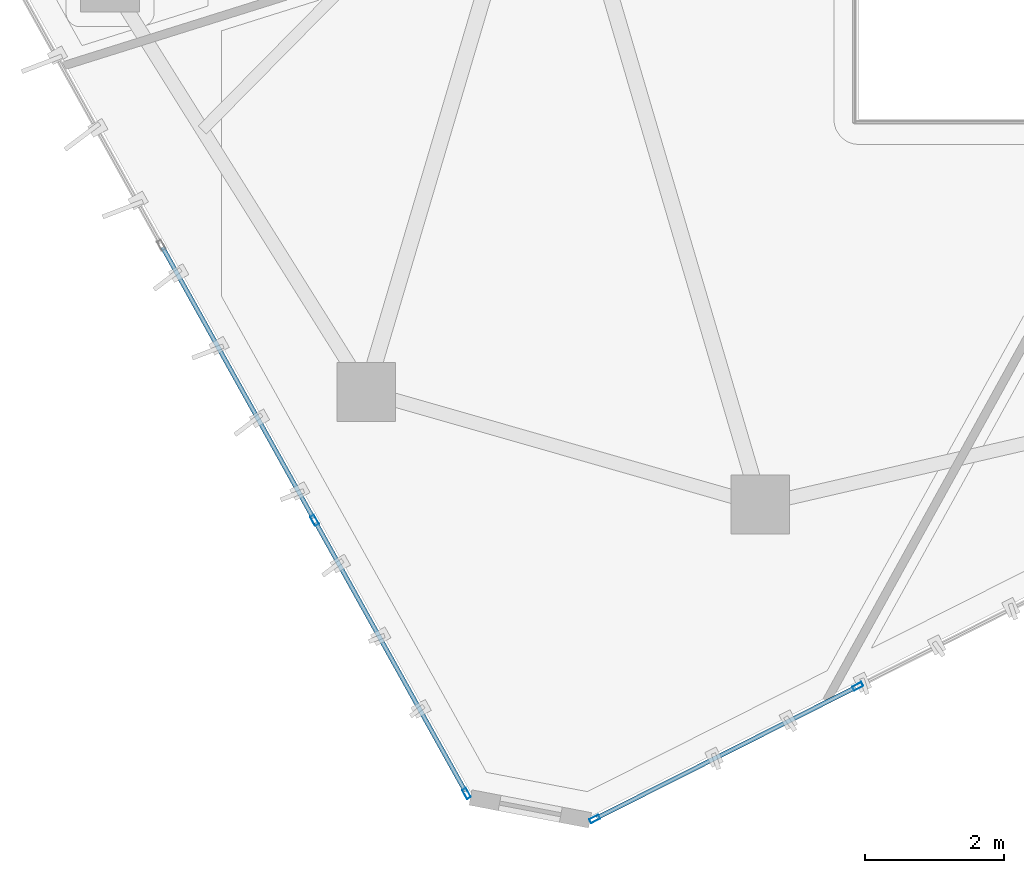
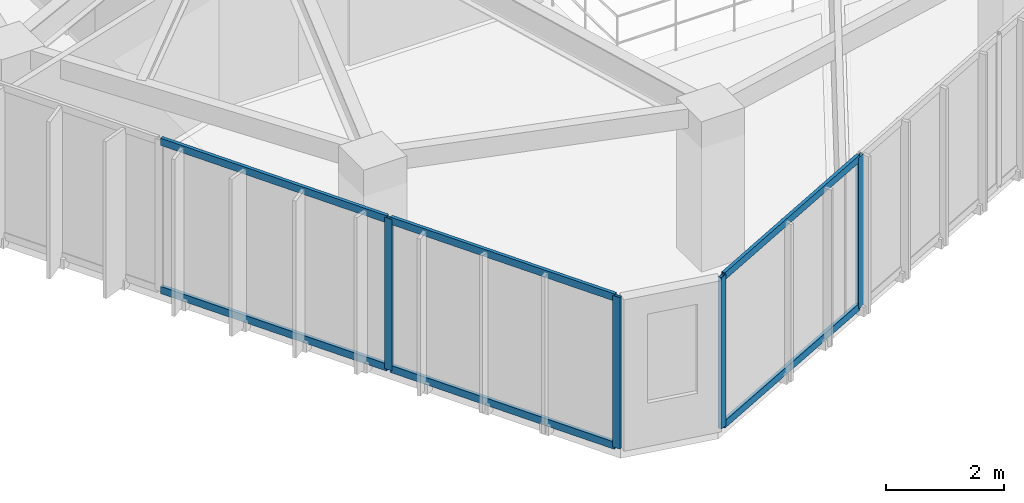
# One storey, part 2 of 21: 10 members, 2 elements without a shape of their own.
"""IFC4 building model written with IfcOpenShell, lengths in metres."""

from ifc_helpers import new_model, si_unit, direction, frame, origin, origin_2d, place, context, subcontext, project, spatial, hollow_rectangle, extrude, source, transform, mapped, material, layer, layer_set, material_profile, profile_set, type_object, type_shapes, element, aggregate, save


model = new_model("IFC4")

# Units and contexts
model_context = context("Model", 3, precision=1e-05, world=origin(), true_north=direction((0.0, 1.0)))
body_context = subcontext(model_context, "Body", "Model", "MODEL_VIEW")
ifc_project = project(units=[si_unit("LENGTHUNIT", "METRE"), si_unit("AREAUNIT", "SQUARE_METRE"), si_unit("VOLUMEUNIT", "CUBIC_METRE"), si_unit("PLANEANGLEUNIT", "RADIAN"), si_unit("MASSUNIT", "GRAM", prefix="KILO")], contexts=[model_context])

# Site, building, storey
site_placement = place(None, origin())
site = spatial("IfcSite", under=ifc_project, at=site_placement, CompositionType="ELEMENT")
building_placement = place(site_placement, origin())
building = spatial("IfcBuilding", under=site, at=building_placement, Name="Talar Marvaseh", CompositionType="ELEMENT")
storey_placement = place(building_placement, frame((0.0, 0.0, 264.60009765625)))
storey = spatial("IfcBuildingStorey", under=building, at=storey_placement, Name="L70", CompositionType="ELEMENT", Elevation=264.60009765625)

# Curtain wall, members
ifc_material = material(Name="Architectural Aluminium", Category="aluminium")
ifc_layer = layer(ifc_material, 0.179931640625)
ifc_layer_set = layer_set([ifc_layer], Name="Architectural Aluminium")
curtain_wall_type = type_object("IfcCurtainWallType", Name="Unitised High-Wind Sky Curtain Wall Z4", PredefinedType="NOTDEFINED", material=ifc_layer_set)
curtain_wall_1_placement = place(storey_placement, origin())
curtain_wall_1 = element("IfcCurtainWall", 1, at=curtain_wall_1_placement, inside=storey, type_object=curtain_wall_type, Name="L70 Unitised High-Wind Sky Curtain Wall Z4", PredefinedType="NOTDEFINED")
ifc_material_profile_1 = material_profile(ifc_material, hollow_rectangle(XDim=0.06494140625, YDim=0.14990234375, WallThickness=0.00390625, at=origin_2d()), Name="RHS150x65x4")
ifc_profile_set_1 = profile_set([ifc_material_profile_1], Name="Architectural Aluminium")
member_type_1 = type_object("IfcMemberType", Name="Unitised Curtain Wall Slim Mullion RHS150x65x4", PredefinedType="MULLION", material=ifc_profile_set_1)
shared_shape_1 = source(origin(), body_context, "Body", "SweptSolid", [
    extrude(hollow_rectangle(XDim=0.06494140625, YDim=0.14990234375, WallThickness=0.00390625, at=origin_2d()), origin(), (0.0, 0.0, 1.0), 3.139892578125),
])
type_shapes(member_type_1, [shared_shape_1])
member_1_placement = place(storey_placement, frame((17.53466796875, 10.8701171875, 0.0), z_axis=(0.0, 0.0, 1.0), x_axis=(-0.873803480843, -0.486279216981, 0.0)))
member_1 = element("IfcMember", 2, at=member_1_placement, type_object=member_type_1, Name="CW-Z4 mullion 1", PredefinedType="MULLION", context=body_context, shape_type="MappedRepresentation", body=[
    mapped(shared_shape_1, transform((0.0, 0.0, 0.0), x_axis=(1.0, 0.0, 0.0), y_axis=(0.0, 1.0, 0.0), z_axis=(0.0, 0.0, 1.0), scale=1.0)),
])
member_2_placement = place(storey_placement, frame((15.34033203125, 14.81298828125, 0.0), z_axis=(0.0, 0.0, 1.0), x_axis=(-0.873803480843, -0.486279216981, 0.0)))
member_2 = element("IfcMember", 3, at=member_2_placement, type_object=member_type_1, Name="CW-Z4 mullion 2", PredefinedType="MULLION", context=body_context, shape_type="MappedRepresentation", body=[
    mapped(shared_shape_1, transform((0.0, 0.0, 0.0), x_axis=(1.0, 0.0, 0.0), y_axis=(0.0, 1.0, 0.0), z_axis=(0.0, 0.0, 1.0), scale=1.0)),
])

curtain_wall_2_placement = place(storey_placement, origin())
curtain_wall_2 = element("IfcCurtainWall", 4, at=curtain_wall_2_placement, inside=storey, type_object=curtain_wall_type, Name="L70 Unitised High-Wind Sky Curtain Wall Z4", PredefinedType="NOTDEFINED")
member_3_placement = place(storey_placement, frame((23.183837890625, 12.4169921875, 0.0), z_axis=(0.0, 0.0, 1.0), x_axis=(0.450236996494, -0.89290909223, 0.0)))
member_3 = element("IfcMember", 5, at=member_3_placement, type_object=member_type_1, Name="CW-Z4 mullion 4", PredefinedType="MULLION", context=body_context, shape_type="MappedRepresentation", body=[
    mapped(shared_shape_1, transform((0.0, 0.0, 0.0), x_axis=(1.0, 0.0, 0.0), y_axis=(0.0, 1.0, 0.0), z_axis=(0.0, 0.0, 1.0), scale=1.0)),
])
member_4_placement = place(storey_placement, frame((19.385498046875, 10.501953125, 0.0), z_axis=(0.0, 0.0, 1.0), x_axis=(0.450236996494, -0.89290909223, 0.0)))
member_4 = element("IfcMember", 6, at=member_4_placement, type_object=member_type_1, Name="CW-Z4 mullion 5", PredefinedType="MULLION", context=body_context, shape_type="MappedRepresentation", body=[
    mapped(shared_shape_1, transform((0.0, 0.0, 0.0), x_axis=(1.0, 0.0, 0.0), y_axis=(0.0, 1.0, 0.0), z_axis=(0.0, 0.0, 1.0), scale=1.0)),
])

# Member
ifc_material_profile_2 = material_profile(ifc_material, hollow_rectangle(XDim=0.06494140625, YDim=0.14990234375, WallThickness=0.00390625, at=origin_2d()), Name="RHS150x65x4")
ifc_profile_set_2 = profile_set([ifc_material_profile_2], Name="Architectural Aluminium")
member_type_2 = type_object("IfcMemberType", Name="Unitised Curtain Wall Slim Transom RHS150x65x4", PredefinedType="USERDEFINED", material=ifc_profile_set_2)
shared_shape_2 = source(origin(), body_context, "Body", "SweptSolid", [
    extrude(hollow_rectangle(XDim=0.06494140625, YDim=0.14990234375, WallThickness=0.00390625, at=origin_2d()), origin(), (0.0, 0.0, 1.0), 4.447509765625),
])
member_5_placement = place(storey_placement, frame((17.518798828125, 10.8984375, 0.032470703125), z_axis=(-0.486258046844, 0.873815261872, 0.0), x_axis=(-0.873815261872, -0.486258046844, 0.0)))
member_5 = element("IfcMember", 7, at=member_5_placement, type_object=member_type_2, Name="CW-Z4 transom 1.1", ObjectType="TRANSOM", PredefinedType="USERDEFINED", context=body_context, shape_type="MappedRepresentation", body=[
    mapped(shared_shape_2, transform((0.0, 0.0, 0.0), x_axis=(1.0, 0.0, 0.0), y_axis=(0.0, 1.0, 0.0), z_axis=(0.0, 0.0, 1.0), scale=1.0)),
])

member_6_placement = place(storey_placement, frame((17.518798828125, 10.8984375, 3.107421875), z_axis=(-0.486258046844, 0.873815261872, 0.0), x_axis=(-0.873815261872, -0.486258046844, 0.0)))
member_6 = element("IfcMember", 8, at=member_6_placement, type_object=member_type_2, Name="CW-Z4 transom 1.2", ObjectType="TRANSOM", PredefinedType="USERDEFINED", context=body_context, shape_type="MappedRepresentation", body=[
    mapped(shared_shape_2, transform((0.0, 0.0, 0.0), x_axis=(1.0, 0.0, 0.0), y_axis=(0.0, 1.0, 0.0), z_axis=(0.0, 0.0, 1.0), scale=1.0)),
])

shared_shape_3 = source(origin(), body_context, "Body", "SweptSolid", [
    extrude(hollow_rectangle(XDim=0.06494140625, YDim=0.14990234375, WallThickness=0.00390625, at=origin_2d()), origin(), (0.0, 0.0, 1.0), 4.47998046875),
])
member_7_placement = place(storey_placement, frame((15.324462890625, 14.841552734375, 0.032470703125), z_axis=(-0.486276716684, 0.873804872275, 0.0), x_axis=(-0.873804872275, -0.486276716684, 0.0)))
member_7 = element("IfcMember", 9, at=member_7_placement, type_object=member_type_2, Name="CW-Z4 transom 2.1", ObjectType="TRANSOM", PredefinedType="USERDEFINED", context=body_context, shape_type="MappedRepresentation", body=[
    mapped(shared_shape_3, transform((0.0, 0.0, 0.0), x_axis=(1.0, 0.0, 0.0), y_axis=(0.0, 1.0, 0.0), z_axis=(0.0, 0.0, 1.0), scale=1.0)),
])

member_8_placement = place(storey_placement, frame((15.324462890625, 14.841552734375, 3.107421875), z_axis=(-0.486276716684, 0.873804872275, 0.0), x_axis=(-0.873804872275, -0.486276716684, 0.0)))
member_8 = element("IfcMember", 10, at=member_8_placement, type_object=member_type_2, Name="CW-Z4 transom 2.2", ObjectType="TRANSOM", PredefinedType="USERDEFINED", context=body_context, shape_type="MappedRepresentation", body=[
    mapped(shared_shape_3, transform((0.0, 0.0, 0.0), x_axis=(1.0, 0.0, 0.0), y_axis=(0.0, 1.0, 0.0), z_axis=(0.0, 0.0, 1.0), scale=1.0)),
])

aggregate(curtain_wall_1, [member_1, member_2, member_5, member_6, member_7, member_8])

shared_shape_4 = source(origin(), body_context, "Body", "SweptSolid", [
    extrude(hollow_rectangle(XDim=0.06494140625, YDim=0.14990234375, WallThickness=0.00390625, at=origin_2d()), origin(), (0.0, 0.0, 1.0), 4.188720703125),
])
type_shapes(member_type_2, [shared_shape_2, shared_shape_3, shared_shape_4])
member_9_placement = place(storey_placement, frame((23.15478515625, 12.40234375, 0.032470703125), z_axis=(-0.892906679281, -0.450241781818, 0.0), x_axis=(0.450241781818, -0.892906679281, 0.0)))
member_9 = element("IfcMember", 11, at=member_9_placement, type_object=member_type_2, Name="CW-Z4 transom 4.1", ObjectType="TRANSOM", PredefinedType="USERDEFINED", context=body_context, shape_type="MappedRepresentation", body=[
    mapped(shared_shape_4, transform((0.0, 0.0, 0.0), x_axis=(1.0, 0.0, 0.0), y_axis=(0.0, 1.0, 0.0), z_axis=(0.0, 0.0, 1.0), scale=1.0)),
])

member_10_placement = place(storey_placement, frame((23.15478515625, 12.40234375, 3.107421875), z_axis=(-0.892906679281, -0.450241781818, 0.0), x_axis=(0.450241781818, -0.892906679281, 0.0)))
member_10 = element("IfcMember", 12, at=member_10_placement, type_object=member_type_2, Name="CW-Z4 transom 4.2", ObjectType="TRANSOM", PredefinedType="USERDEFINED", context=body_context, shape_type="MappedRepresentation", body=[
    mapped(shared_shape_4, transform((0.0, 0.0, 0.0), x_axis=(1.0, 0.0, 0.0), y_axis=(0.0, 1.0, 0.0), z_axis=(0.0, 0.0, 1.0), scale=1.0)),
])

aggregate(curtain_wall_2, [member_3, member_4, member_9, member_10])

save(model, "model.ifc")
